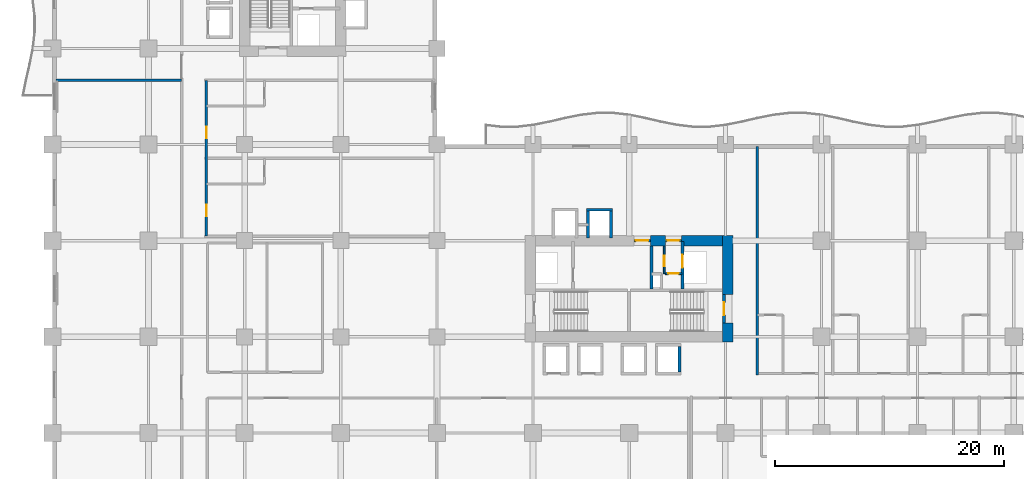
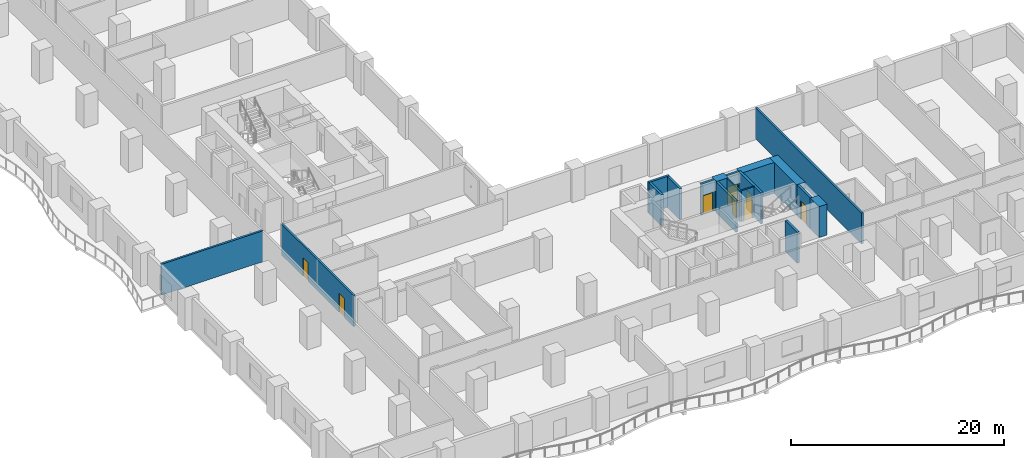
# One storey, part 6 of 18: 18 walls, 8 doors, 8 openings.
"""IFC4 building model written with IfcOpenShell, lengths in metres."""

from ifc_helpers import new_model, si_unit, direction, frame, frame_2d, origin, place, context, subcontext, project, spatial, rectangle, extrude, material, layer, layer_set, type_object, element, fill, save


model = new_model("IFC4")

# Units and contexts
model_context = context("Model", 3, precision=1e-05, world=origin(), true_north=direction((0.0, 1.0)))
body_context = subcontext(model_context, "Body", "Model", "MODEL_VIEW")
ifc_project = project(units=[si_unit("LENGTHUNIT", "METRE"), si_unit("AREAUNIT", "SQUARE_METRE"), si_unit("VOLUMEUNIT", "CUBIC_METRE"), si_unit("PLANEANGLEUNIT", "RADIAN"), si_unit("MASSUNIT", "GRAM", prefix="KILO")], contexts=[model_context])

# Site, building, storey
site_placement = place(None, origin())
site = spatial("IfcSite", under=ifc_project, at=site_placement, CompositionType="ELEMENT")
building_placement = place(site_placement, origin())
building = spatial("IfcBuilding", under=site, at=building_placement, Name="Koriwani Terraces Tower", CompositionType="ELEMENT")
storey_placement = place(building_placement, frame((0.0, 0.0, 81.39990234375)))
storey = spatial("IfcBuildingStorey", under=building, at=storey_placement, Name="L19", CompositionType="ELEMENT", Elevation=81.39990234375)

# Walls
ifc_material_1 = material(Name="Concrete C60/75", Category="concrete")
ifc_layer_1 = layer(ifc_material_1, 0.89990234375, Name="Concrete C60/75")
ifc_layer_set_1 = layer_set([ifc_layer_1], Name="Concrete C60/75")
wall_type_1 = type_object("IfcWallType", Name="WALL_CORE_RC_900", PredefinedType="SHEAR", material=ifc_layer_set_1)
wall_1_placement = place(storey_placement, frame((59.0, 16.35009765625, 0.0), z_axis=(0.0, 0.0, 1.0), x_axis=(0.0, 1.0, 0.0)))
element("IfcWall", 1, at=wall_1_placement, inside=storey, type_object=wall_type_1, Name="L19 East Split Core Shear Wall E1", PredefinedType="SHEAR", context=body_context, shape_type="SweptSolid", body=[
    extrude(rectangle(XDim=1.64990234375, YDim=0.89990234375, at=frame_2d((0.824951171875, 0.0))), origin(), (0.0, 0.0, 1.0), 3.550048828125),
])
wall_2_placement = place(storey_placement, frame((59.0, 20.5, 0.0), z_axis=(0.0, 0.0, 1.0), x_axis=(0.0, 1.0, 0.0)))
element("IfcWall", 2, at=wall_2_placement, inside=storey, type_object=wall_type_1, Name="L19 East Split Core Shear Wall E2", PredefinedType="SHEAR", context=body_context, shape_type="SweptSolid", body=[
    extrude(rectangle(XDim=5.14990234375, YDim=0.89990234375, at=frame_2d((2.574951171875, 0.0))), origin(), (0.0, 0.0, 1.0), 3.550048828125),
])
wall_3_placement = place(storey_placement, frame((52.280029296875, 25.199951171875, 0.0), z_axis=(0.0, 0.0, 1.0), x_axis=(1.0, 0.0, 0.0)))
element("IfcWall", 3, at=wall_3_placement, inside=storey, type_object=wall_type_1, Name="L19 East Split Core Shear Wall N2", PredefinedType="SHEAR", context=body_context, shape_type="SweptSolid", body=[
    extrude(rectangle(XDim=1.27001953125, YDim=0.89990234375, at=frame_2d((0.635009765625, 0.0))), origin(), (0.0, 0.0, 1.0), 3.550048828125),
])
wall_4_placement = place(storey_placement, frame((54.949951171875, 25.199951171875, 0.0), z_axis=(0.0, 0.0, 1.0), x_axis=(1.0, 0.0, 0.0)))
element("IfcWall", 4, at=wall_4_placement, inside=storey, type_object=wall_type_1, Name="L19 East Split Core Shear Wall N3", PredefinedType="SHEAR", context=body_context, shape_type="SweptSolid", body=[
    extrude(rectangle(XDim=3.60009765625, YDim=0.89990234375, at=frame_2d((1.800048828125, 0.0))), origin(), (0.0, 0.0, 1.0), 3.550048828125),
])

# Wall, openings, doors
ifc_material_2 = material(Name="Autoclaved Cellular Concrete Blockwork", Category="masonry")
ifc_layer_2 = layer(ifc_material_2, 0.199951171875, Name="Autoclaved Cellular Concrete Blockwork")
ifc_layer_set_2 = layer_set([ifc_layer_2], Name="Autoclaved Cellular Concrete Blockwork")
wall_type_2 = type_object("IfcWallType", Name="WALL_CORRIDOR_200", PredefinedType="PARTITIONING", material=ifc_layer_set_2)
wall_5_placement = place(storey_placement, frame((13.449951171875, 25.60009765625, 0.0), z_axis=(0.0, 0.0, 1.0), x_axis=(0.0, 1.0, 0.0)))
wall_5 = element("IfcWall", 5, at=wall_5_placement, inside=storey, type_object=wall_type_2, Name="L19 Interior Wall WCOR-L19-NWI-0", PredefinedType="PARTITIONING", context=body_context, shape_type="SweptSolid", body=[
    extrude(rectangle(XDim=13.599853515625, YDim=0.199951171875, at=frame_2d((6.7998046875, 0.0))), origin(), (0.0, 0.0, 1.0), 3.550048828125),
])
opening_1_placement = place(wall_5_placement, frame((1.735107421875, 0.0, 0.0)))
opening_1 = element("IfcOpeningElement", 6, at=opening_1_placement, cuts=wall_5, Name="Opening D-05", PredefinedType="OPENING", context=body_context, shape_type="SweptSolid", body=[
    extrude(rectangle(XDim=1.0, YDim=2.14990234375, at=frame_2d((0.5, 1.074951171875))), frame((0.0, 0.10986328125, 0.0), z_axis=(0.0, -1.0, 0.0), x_axis=(1.0, 0.0, 0.0)), (0.0, 0.0, 1.0), 0.219970703125),
])
opening_2_placement = place(wall_5_placement, frame((8.534912109375, 0.0, 0.0)))
opening_2 = element("IfcOpeningElement", 7, at=opening_2_placement, cuts=wall_5, Name="Opening D-05", PredefinedType="OPENING", context=body_context, shape_type="SweptSolid", body=[
    extrude(rectangle(XDim=1.0, YDim=2.14990234375, at=frame_2d((0.5, 1.074951171875))), frame((0.0, 0.10986328125, 0.0), z_axis=(0.0, -1.0, 0.0), x_axis=(1.0, 0.0, 0.0)), (0.0, 0.0, 1.0), 0.219970703125),
])
ifc_material_3 = material(Name="Architectural Oak Fire Door", Category="wood")
door_type_1 = type_object("IfcDoorType", Name="DOOR_SUITE_ENTRY_1000X2150", OperationType="NOTDEFINED", PredefinedType="DOOR", material=ifc_material_3)
door_1_placement = place(opening_1_placement, origin())
door_1 = element("IfcDoor", 8, at=door_1_placement, inside=storey, type_object=door_type_1, Name="Luxury Hotel Suite 19NWI1 Entrance Door", OperationType="SINGLE_SWING_LEFT", OverallHeight=2.14990234375, OverallWidth=1.0, PredefinedType="DOOR", context=body_context, shape_type="SweptSolid", body=[
    extrude(rectangle(XDim=1.0, YDim=2.14990234375, at=frame_2d((0.5, 1.074951171875))), frame((0.0, 0.02490234375, 0.0), z_axis=(0.0, -1.0, 0.0), x_axis=(1.0, 0.0, 0.0)), (0.0, 0.0, 1.0), 0.050048828125),
])
fill(opening_1, door_1)
door_2_placement = place(opening_2_placement, origin())
door_2 = element("IfcDoor", 9, at=door_2_placement, inside=storey, type_object=door_type_1, Name="Luxury Hotel Suite 19NWI2 Entrance Door", OperationType="SINGLE_SWING_LEFT", OverallHeight=2.14990234375, OverallWidth=1.0, PredefinedType="DOOR", context=body_context, shape_type="SweptSolid", body=[
    extrude(rectangle(XDim=1.0, YDim=2.14990234375, at=frame_2d((0.5, 1.074951171875))), frame((0.0, 0.02490234375, 0.0), z_axis=(0.0, -1.0, 0.0), x_axis=(1.0, 0.0, 0.0)), (0.0, 0.0, 1.0), 0.050048828125),
])
fill(opening_2, door_2)

# Walls
ifc_layer_3 = layer(ifc_material_2, 0.219970703125, Name="Autoclaved Cellular Concrete Blockwork")
ifc_layer_set_3 = layer_set([ifc_layer_3], Name="Autoclaved Cellular Concrete Blockwork")
wall_type_3 = type_object("IfcWallType", Name="WALL_DEMISING_220", PredefinedType="PARTITIONING", material=ifc_layer_set_3)
wall_6_placement = place(storey_placement, frame((0.300048828125, 39.199951171875, 0.0), z_axis=(0.0, 0.0, 1.0), x_axis=(1.0, 0.0, 0.0)))
element("IfcWall", 10, at=wall_6_placement, inside=storey, type_object=wall_type_3, Name="L19 Interior Wall WZ1NWCLM-L19", PredefinedType="PARTITIONING", context=body_context, shape_type="SweptSolid", body=[
    extrude(rectangle(XDim=11.0, YDim=0.219970703125, at=frame_2d((5.5, 0.0))), origin(), (0.0, 0.0, 1.0), 3.550048828125),
])
wall_7_placement = place(storey_placement, frame((61.60009765625, 13.449951171875, 0.0), z_axis=(0.0, 0.0, 1.0), x_axis=(0.0, 1.0, 0.0)))
element("IfcWall", 11, at=wall_7_placement, inside=storey, type_object=wall_type_3, Name="L19 Interior Wall WDEM-L19-SE-0", PredefinedType="PARTITIONING", context=body_context, shape_type="SweptSolid", body=[
    extrude(rectangle(XDim=19.97998046875, YDim=0.219970703125, at=frame_2d((9.989990234375, 0.0))), origin(), (0.0, 0.0, 1.0), 3.550048828125),
])

# Wall, opening, door
ifc_material_4 = material(Name="Concrete C40/50", Category="concrete")
ifc_layer_4 = layer(ifc_material_4, 0.25, Name="Concrete C40/50")
ifc_layer_set_4 = layer_set([ifc_layer_4], Name="Concrete C40/50")
wall_type_4 = type_object("IfcWallType", Name="WALL_SHAFT_RATED_250", PredefinedType="SOLIDWALL", material=ifc_layer_set_4)
wall_8_placement = place(storey_placement, frame((58.675048828125, 18.0, 0.0), z_axis=(0.0, 0.0, 1.0), x_axis=(0.0, 1.0, 0.0)))
wall_8 = element("IfcWall", 12, at=wall_8_placement, inside=storey, type_object=wall_type_4, Name="L19 Interior Wall WIN-CE-L19-STE", PredefinedType="SOLIDWALL", context=body_context, shape_type="SweptSolid", body=[
    extrude(rectangle(XDim=2.5, YDim=0.25, at=frame_2d((1.25, 0.0))), origin(), (0.0, 0.0, 1.0), 3.550048828125),
])
opening_3_placement = place(wall_8_placement, frame((0.699951171875, 0.0, 0.0)))
opening_3 = element("IfcOpeningElement", 13, at=opening_3_placement, cuts=wall_8, Name="Opening D-03", PredefinedType="OPENING", context=body_context, shape_type="SweptSolid", body=[
    extrude(rectangle(XDim=1.10009765625, YDim=2.14990234375, at=frame_2d((0.550048828125, 1.074951171875))), frame((0.0, 0.135009765625, 0.0), z_axis=(0.0, -1.0, 0.0), x_axis=(1.0, 0.0, 0.0)), (0.0, 0.0, 1.0), 0.27001953125),
])
ifc_material_5 = material(Name="Steel ASTM A572 Grade 50", Category="steel")
door_type_2 = type_object("IfcDoorType", Name="DOOR_STAIR_FIRE_1100X2150", OperationType="NOTDEFINED", PredefinedType="DOOR", material=ifc_material_5)
door_3_placement = place(opening_3_placement, origin())
door_3 = element("IfcDoor", 14, at=door_3_placement, inside=storey, type_object=door_type_2, Name="L19 Exit Stair ST-E2 Door", OperationType="SINGLE_SWING_RIGHT", OverallHeight=2.14990234375, OverallWidth=1.10009765625, PredefinedType="DOOR", context=body_context, shape_type="SweptSolid", body=[
    extrude(rectangle(XDim=1.10009765625, YDim=2.14990234375, at=frame_2d((0.550048828125, 1.074951171875))), frame((0.0, 0.02490234375, 0.0), z_axis=(0.0, -1.0, 0.0), x_axis=(1.0, 0.0, 0.0)), (0.0, 0.0, 1.0), 0.050048828125),
])
fill(opening_3, door_3)

wall_9_placement = place(storey_placement, frame((50.800048828125, 25.199951171875, 0.0), z_axis=(0.0, 0.0, 1.0), x_axis=(1.0, 0.0, 0.0)))
wall_9 = element("IfcWall", 15, at=wall_9_placement, inside=storey, type_object=wall_type_4, Name="L19 Interior Wall WIN-CE-L19-NP", PredefinedType="SOLIDWALL", context=body_context, shape_type="SweptSolid", body=[
    extrude(rectangle(XDim=1.47998046875, YDim=0.25, at=frame_2d((0.739990234375, 0.0))), origin(), (0.0, 0.0, 1.0), 3.550048828125),
])
opening_4_placement = place(wall_9_placement, frame((0.179931640625, 0.0, 0.0)))
opening_4 = element("IfcOpeningElement", 16, at=opening_4_placement, cuts=wall_9, Name="Opening D-03", PredefinedType="OPENING", context=body_context, shape_type="SweptSolid", body=[
    extrude(rectangle(XDim=1.10009765625, YDim=2.14990234375, at=frame_2d((0.550048828125, 1.074951171875))), frame((0.0, 0.135009765625, 0.0), z_axis=(0.0, -1.0, 0.0), x_axis=(1.0, 0.0, 0.0)), (0.0, 0.0, 1.0), 0.27001953125),
])
door_4_placement = place(opening_4_placement, origin())
door_4 = element("IfcDoor", 17, at=door_4_placement, inside=storey, type_object=door_type_2, Name="L19 East Firefighting Lobby Door", OperationType="SINGLE_SWING_LEFT", OverallHeight=2.14990234375, OverallWidth=1.10009765625, PredefinedType="DOOR", context=body_context, shape_type="SweptSolid", body=[
    extrude(rectangle(XDim=1.10009765625, YDim=2.14990234375, at=frame_2d((0.550048828125, 1.074951171875))), frame((0.0, 0.02490234375, 0.0), z_axis=(0.0, -1.0, 0.0), x_axis=(1.0, 0.0, 0.0)), (0.0, 0.0, 1.0), 0.050048828125),
])
fill(opening_4, door_4)

# Wall
wall_10_placement = place(storey_placement, frame((52.340087890625, 21.0, 0.0), z_axis=(0.0, 0.0, 1.0), x_axis=(0.0, 1.0, 0.0)))
element("IfcWall", 18, at=wall_10_placement, inside=storey, type_object=wall_type_4, Name="L19 Interior Wall WIN-CE-L19-FFE", PredefinedType="SOLIDWALL", context=body_context, shape_type="SweptSolid", body=[
    extrude(rectangle(XDim=3.75, YDim=0.25, at=frame_2d((1.875, 0.0))), origin(), (0.0, 0.0, 1.0), 3.550048828125),
])

# Wall, opening, door
wall_11_placement = place(storey_placement, frame((55.050048828125, 21.0, 0.0), z_axis=(0.0, 0.0, 1.0), x_axis=(0.0, 1.0, 0.0)))
wall_11 = element("IfcWall", 19, at=wall_11_placement, inside=storey, type_object=wall_type_4, Name="L19 Interior Wall WIN-CE-L19-SE", PredefinedType="SOLIDWALL", context=body_context, shape_type="SweptSolid", body=[
    extrude(rectangle(XDim=4.14990234375, YDim=0.25, at=frame_2d((2.074951171875, 0.0))), origin(), (0.0, 0.0, 1.0), 3.550048828125),
])
opening_5_placement = place(wall_11_placement, frame((1.85009765625, 0.0, 0.0)))
opening_5 = element("IfcOpeningElement", 20, at=opening_5_placement, cuts=wall_11, Name="Opening LD-01", PredefinedType="OPENING", context=body_context, shape_type="SweptSolid", body=[
    extrude(rectangle(XDim=1.10009765625, YDim=2.14990234375, at=frame_2d((0.550048828125, 1.074951171875))), frame((0.0, 0.135009765625, 0.0), z_axis=(0.0, -1.0, 0.0), x_axis=(1.0, 0.0, 0.0)), (0.0, 0.0, 1.0), 0.27001953125),
])
door_type_3 = type_object("IfcDoorType", Name="DOOR_LIFT_LANDING_1100X2200", OperationType="NOTDEFINED", PredefinedType="DOOR", material=ifc_material_5)
door_5_placement = place(opening_5_placement, origin())
door_5 = element("IfcDoor", 21, at=door_5_placement, inside=storey, type_object=door_type_3, Name="L19 Goods Lift SE-02 Landing Door", OperationType="SLIDING_TO_LEFT", OverallHeight=2.14990234375, OverallWidth=1.10009765625, PredefinedType="DOOR", context=body_context, shape_type="SweptSolid", body=[
    extrude(rectangle(XDim=1.10009765625, YDim=2.14990234375, at=frame_2d((0.550048828125, 1.074951171875))), frame((0.0, 0.02490234375, 0.0), z_axis=(0.0, -1.0, 0.0), x_axis=(1.0, 0.0, 0.0)), (0.0, 0.0, 1.0), 0.050048828125),
])
fill(opening_5, door_5)

wall_12_placement = place(storey_placement, frame((53.550048828125, 25.199951171875, 0.0), z_axis=(0.0, 0.0, 1.0), x_axis=(1.0, 0.0, 0.0)))
wall_12 = element("IfcWall", 22, at=wall_12_placement, inside=storey, type_object=wall_type_4, Name="L19 Interior Wall WIN-CE-L19-NP2", PredefinedType="SOLIDWALL", context=body_context, shape_type="SweptSolid", body=[
    extrude(rectangle(XDim=1.39990234375, YDim=0.25, at=frame_2d((0.699951171875, 0.0))), origin(), (0.0, 0.0, 1.0), 3.550048828125),
])
opening_6_placement = place(wall_12_placement, frame((0.14990234375, 0.0, 0.0)))
opening_6 = element("IfcOpeningElement", 23, at=opening_6_placement, cuts=wall_12, Name="Opening D-03", PredefinedType="OPENING", context=body_context, shape_type="SweptSolid", body=[
    extrude(rectangle(XDim=1.10009765625, YDim=2.14990234375, at=frame_2d((0.550048828125, 1.074951171875))), frame((0.0, 0.135009765625, 0.0), z_axis=(0.0, -1.0, 0.0), x_axis=(1.0, 0.0, 0.0)), (0.0, 0.0, 1.0), 0.27001953125),
])
door_6_placement = place(opening_6_placement, origin())
door_6 = element("IfcDoor", 24, at=door_6_placement, inside=storey, type_object=door_type_2, Name="L19 East Goods Lift Lobby Door", OperationType="SINGLE_SWING_RIGHT", OverallHeight=2.14990234375, OverallWidth=1.10009765625, PredefinedType="DOOR", context=body_context, shape_type="SweptSolid", body=[
    extrude(rectangle(XDim=1.10009765625, YDim=2.14990234375, at=frame_2d((0.550048828125, 1.074951171875))), frame((0.0, 0.02490234375, 0.0), z_axis=(0.0, -1.0, 0.0), x_axis=(1.0, 0.0, 0.0)), (0.0, 0.0, 1.0), 0.050048828125),
])
fill(opening_6, door_6)

# Walls
for number, where, z_axis, x_axis, name in (
    (25, (54.800048828125, 13.72509765625, 0.0), (0.0, 0.0, 1.0), (0.0, 1.0, 0.0), "L19 Interior Wall WIN-LF-PE-M4-L19-E"),
    (26, (46.675048828125, 27.89990234375, 0.0), (0.0, 0.0, 1.0), (1.0, 0.0, 0.0), "L19 Interior Wall WIN-LF-PE-H4-L19-F"),
):
    element("IfcWall", number, at=place(storey_placement, frame(where, z_axis=z_axis, x_axis=x_axis)), inside=storey, type_object=wall_type_4, Name=name, PredefinedType="SOLIDWALL", context=body_context, shape_type="SweptSolid", body=[
        extrude(rectangle(XDim=2.25, YDim=0.25, at=frame_2d((1.125, 0.0))), origin(), (0.0, 0.0, 1.0), 3.550048828125),
    ])
for number, where, z_axis, x_axis, name in (
    (27, (46.800048828125, 25.449951171875, 0.0), (0.0, 0.0, 1.0), (0.0, 1.0, 0.0), "L19 Interior Wall WIN-LF-PE-H4-L19-W"),
    (28, (48.800048828125, 25.449951171875, 0.0), (0.0, 0.0, 1.0), (0.0, 1.0, 0.0), "L19 Interior Wall WIN-LF-PE-H4-L19-E"),
):
    element("IfcWall", number, at=place(storey_placement, frame(where, z_axis=z_axis, x_axis=x_axis)), inside=storey, type_object=wall_type_4, Name=name, PredefinedType="SOLIDWALL", context=body_context, shape_type="SweptSolid", body=[
        extrude(rectangle(XDim=2.324951171875, YDim=0.25, at=frame_2d((1.16259765625, 0.0))), origin(), (0.0, 0.0, 1.0), 3.550048828125),
    ])

# Wall, opening, door
ifc_material_6 = material(Name="Fire-Rated Acoustic Gypsum Partition", Category="masonry")
ifc_layer_5 = layer(ifc_material_6, 0.159912109375, Name="Fire-Rated Acoustic Gypsum Partition")
ifc_layer_set_5 = layer_set([ifc_layer_5], Name="Fire-Rated Acoustic Gypsum Partition")
wall_type_5 = type_object("IfcWallType", Name="WALL_SUITE_160", PredefinedType="PARTITIONING", material=ifc_layer_set_5)
wall_13_placement = place(storey_placement, frame((53.56005859375, 22.320068359375, 0.0), z_axis=(0.0, 0.0, 1.0), x_axis=(1.0, 0.0, 0.0)))
wall_13 = element("IfcWall", 29, at=wall_13_placement, inside=storey, type_object=wall_type_5, Name="L19 Interior Wall WIN-CE-L19-SV1A", PredefinedType="PARTITIONING", context=body_context, shape_type="SweptSolid", body=[
    extrude(rectangle(XDim=1.43994140625, YDim=0.159912109375, at=frame_2d((0.719970703125, 0.0))), origin(), (0.0, 0.0, 1.0), 3.550048828125),
])
opening_7_placement = place(wall_13_placement, frame((0.260009765625, 0.0, 0.0)))
opening_7 = element("IfcOpeningElement", 30, at=opening_7_placement, cuts=wall_13, Name="Opening D-07", PredefinedType="OPENING", context=body_context, shape_type="SweptSolid", body=[
    extrude(rectangle(XDim=0.89990234375, YDim=2.10009765625, at=frame_2d((0.449951171875, 1.050048828125))), frame((0.0, 0.08984375, 0.0), z_axis=(0.0, -1.0, 0.0), x_axis=(1.0, 0.0, 0.0)), (0.0, 0.0, 1.0), 0.179931640625),
])
door_type_4 = type_object("IfcDoorType", Name="DOOR_BATH_INT_900X2100", OperationType="NOTDEFINED", PredefinedType="DOOR", material=ifc_material_3)
door_7_placement = place(opening_7_placement, origin())
door_7 = element("IfcDoor", 31, at=door_7_placement, inside=storey, type_object=door_type_4, Name="L19 East Telecom Room Door", OperationType="SINGLE_SWING_LEFT", OverallHeight=2.10009765625, OverallWidth=0.89990234375, PredefinedType="DOOR", context=body_context, shape_type="SweptSolid", body=[
    extrude(rectangle(XDim=0.89990234375, YDim=2.10009765625, at=frame_2d((0.449951171875, 1.050048828125))), frame((0.0, 0.02490234375, 0.0), z_axis=(0.0, -1.0, 0.0), x_axis=(1.0, 0.0, 0.0)), (0.0, 0.0, 1.0), 0.050048828125),
])
fill(opening_7, door_7)

wall_14_placement = place(storey_placement, frame((53.4599609375, 22.320068359375, 0.0), z_axis=(0.0, 0.0, 1.0), x_axis=(0.0, 1.0, 0.0)))
wall_14 = element("IfcWall", 32, at=wall_14_placement, inside=storey, type_object=wall_type_5, Name="L19 Interior Wall WIN-CE-L19-SV1B", PredefinedType="PARTITIONING", context=body_context, shape_type="SweptSolid", body=[
    extrude(rectangle(XDim=2.39990234375, YDim=0.159912109375, at=frame_2d((1.199951171875, 0.0))), origin(), (0.0, 0.0, 1.0), 3.550048828125),
])
opening_8_placement = place(wall_14_placement, frame((0.64990234375, 0.0, 0.0)))
opening_8 = element("IfcOpeningElement", 33, at=opening_8_placement, cuts=wall_14, Name="Opening D-07", PredefinedType="OPENING", context=body_context, shape_type="SweptSolid", body=[
    extrude(rectangle(XDim=0.89990234375, YDim=2.10009765625, at=frame_2d((0.449951171875, 1.050048828125))), frame((0.0, 0.08984375, 0.0), z_axis=(0.0, -1.0, 0.0), x_axis=(1.0, 0.0, 0.0)), (0.0, 0.0, 1.0), 0.179931640625),
])
door_8_placement = place(opening_8_placement, origin())
door_8 = element("IfcDoor", 34, at=door_8_placement, inside=storey, type_object=door_type_4, Name="L19 East Cleaners Closet Door", OperationType="SINGLE_SWING_RIGHT", OverallHeight=2.10009765625, OverallWidth=0.89990234375, PredefinedType="DOOR", context=body_context, shape_type="SweptSolid", body=[
    extrude(rectangle(XDim=0.89990234375, YDim=2.10009765625, at=frame_2d((0.449951171875, 1.050048828125))), frame((0.0, 0.02490234375, 0.0), z_axis=(0.0, -1.0, 0.0), x_axis=(1.0, 0.0, 0.0)), (0.0, 0.0, 1.0), 0.050048828125),
])
fill(opening_8, door_8)

save(model, "model.ifc")
